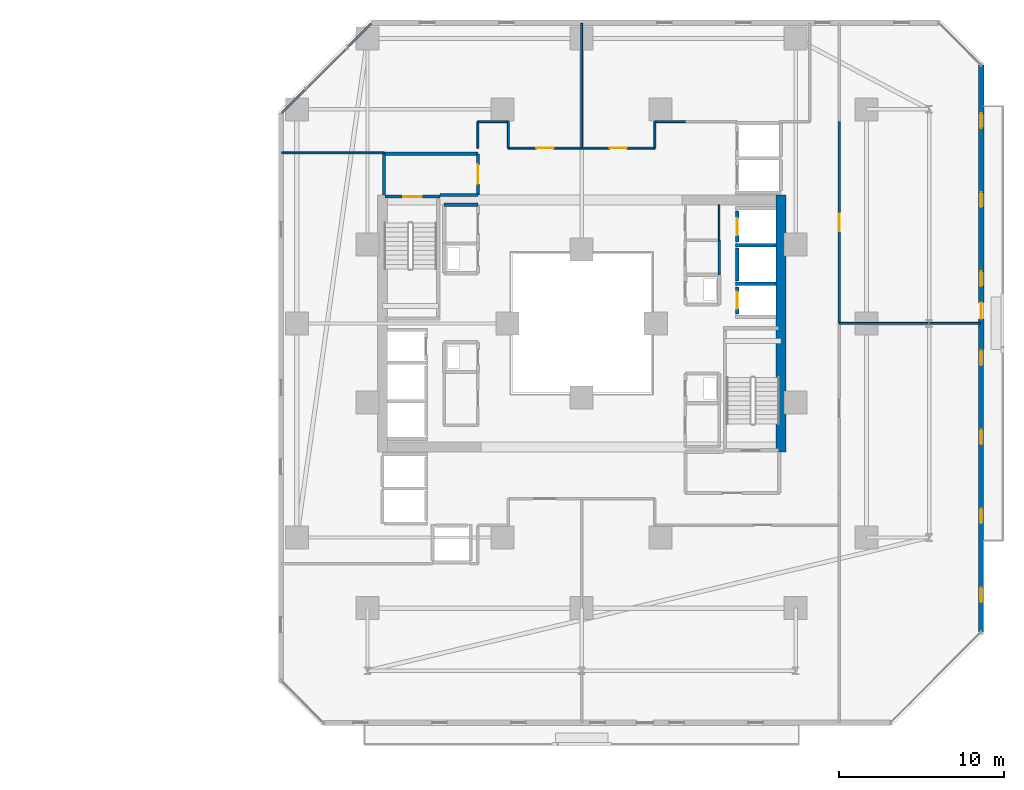
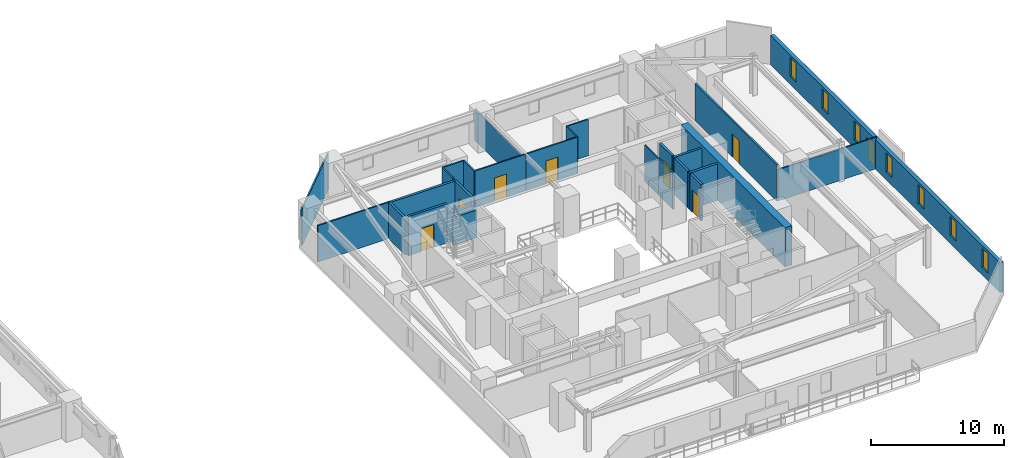
# One storey, part 24 of 33: 27 walls, 8 doors, 7 windows, 15 openings.
"""IFC4 building model written with IfcOpenShell, lengths in metres."""

from ifc_helpers import new_model, si_unit, direction, frame, frame_2d, origin, place, context, subcontext, project, spatial, rectangle, extrude, material, layer, layer_set, type_object, element, fill, save


model = new_model("IFC4")

# Units and contexts
model_context = context("Model", 3, precision=1e-05, world=origin(), true_north=direction((0.0, 1.0)))
body_context = subcontext(model_context, "Body", "Model", "MODEL_VIEW")
ifc_project = project(units=[si_unit("LENGTHUNIT", "METRE"), si_unit("AREAUNIT", "SQUARE_METRE"), si_unit("VOLUMEUNIT", "CUBIC_METRE"), si_unit("PLANEANGLEUNIT", "RADIAN"), si_unit("MASSUNIT", "GRAM", prefix="KILO")], contexts=[model_context])

# Site, building, storey
site_placement = place(None, origin())
site = spatial("IfcSite", under=ifc_project, at=site_placement, CompositionType="ELEMENT")
building_placement = place(site_placement, origin())
building = spatial("IfcBuilding", under=site, at=building_placement, Name="Thornwick Lancets Civic Towers", CompositionType="ELEMENT")
storey_placement = place(building_placement, frame((0.0, 0.0, 35.10009765625)))
storey = spatial("IfcBuildingStorey", under=building, at=storey_placement, Name="L08", CompositionType="ELEMENT", Elevation=35.10009765625)

# Wall, opening, door
ifc_material_1 = material(Name="Concrete blockwork C40/50", Category="masonry")
ifc_layer_1 = layer(ifc_material_1, 0.199951171875, Name="Concrete blockwork C40/50")
ifc_layer_set_1 = layer_set([ifc_layer_1], Name="Concrete blockwork C40/50")
wall_type_1 = type_object("IfcWallType", Name="WALL_COMP_200", PredefinedType="STANDARD", material=ifc_layer_set_1)
wall_1_placement = place(storey_placement, frame((97.949951171875, 29.219970703125, 0.0), z_axis=(0.0, 0.0, 1.0), x_axis=(0.0, -1.0, 0.0)))
wall_1 = element("IfcWall", 1, at=wall_1_placement, inside=storey, type_object=wall_type_1, Name="L08 Hoistway Front Wall FL-B1", PredefinedType="STANDARD", context=body_context, shape_type="SweptSolid", body=[
    extrude(rectangle(XDim=1.639892578125, YDim=0.199951171875, at=frame_2d((0.81982421875, 0.0))), origin(), (0.0, 0.0, 1.0), 3.33984375),
])
opening_1_placement = place(wall_1_placement, frame((0.31005859375, 0.0, 0.0)))
opening_1 = element("IfcOpeningElement", 2, at=opening_1_placement, cuts=wall_1, Name="Opening LD-FL-B1", PredefinedType="OPENING", context=body_context, shape_type="SweptSolid", body=[
    extrude(rectangle(XDim=1.02001953125, YDim=2.06005859375, at=frame_2d((0.510009765625, 1.030029296875))), frame((0.0, 0.10986328125, 0.0), z_axis=(0.0, -1.0, 0.0), x_axis=(1.0, 0.0, 0.0)), (0.0, 0.0, 1.0), 0.219970703125),
])
ifc_material_2 = material(Name="Brushed bronze stainless steel", Category="steel")
door_type_1 = type_object("IfcDoorType", Name="DOOR_LIFT_SLIDE", OperationType="SLIDING_TO_LEFT", PredefinedType="DOOR", material=ifc_material_2)
door_1_placement = place(opening_1_placement, origin())
door_1 = element("IfcDoor", 3, at=door_1_placement, inside=storey, type_object=door_type_1, Name="L08 Sliding Lift Landing Door LD-FL-B1", OperationType="SLIDING_TO_LEFT", OverallHeight=2.06005859375, OverallWidth=1.02001953125, PredefinedType="DOOR", context=body_context, shape_type="SweptSolid", body=[
    extrude(rectangle(XDim=1.02001953125, YDim=2.06005859375, at=frame_2d((0.510009765625, 1.030029296875))), frame((0.0, 0.02490234375, 0.0), z_axis=(0.0, -1.0, 0.0), x_axis=(1.0, 0.0, 0.0)), (0.0, 0.0, 1.0), 0.050048828125),
])
fill(opening_1, door_1)

# Wall
wall_2_placement = place(storey_placement, frame((97.949951171875, 31.570068359375, 0.0), z_axis=(0.0, 0.0, 1.0), x_axis=(0.0, -1.0, 0.0)))
element("IfcWall", 4, at=wall_2_placement, inside=storey, type_object=wall_type_1, Name="L08 Hoistway Front Wall PL-BH1", PredefinedType="STANDARD", context=body_context, shape_type="SweptSolid", body=[
    extrude(rectangle(XDim=1.989990234375, YDim=0.199951171875, at=frame_2d((0.9951171875, 0.0))), origin(), (0.0, 0.0, 1.0), 3.33984375),
])

# Wall, opening, door
wall_3_placement = place(storey_placement, frame((97.949951171875, 33.820068359375, 0.0), z_axis=(0.0, 0.0, 1.0), x_axis=(0.0, -1.0, 0.0)))
wall_3 = element("IfcWall", 5, at=wall_3_placement, inside=storey, type_object=wall_type_1, Name="L08 Hoistway Front Wall PL-BL1", PredefinedType="STANDARD", context=body_context, shape_type="SweptSolid", body=[
    extrude(rectangle(XDim=1.89013671875, YDim=0.199951171875, at=frame_2d((0.945068359375, 0.0))), origin(), (0.0, 0.0, 1.0), 3.33984375),
])
opening_2_placement = place(wall_3_placement, frame((0.43505859375, 0.0, 0.0)))
opening_2 = element("IfcOpeningElement", 6, at=opening_2_placement, cuts=wall_3, Name="Opening LD-PL-BL1", PredefinedType="OPENING", context=body_context, shape_type="SweptSolid", body=[
    extrude(rectangle(XDim=1.02001953125, YDim=2.06005859375, at=frame_2d((0.510009765625, 1.030029296875))), frame((0.0, 0.10986328125, 0.0), z_axis=(0.0, -1.0, 0.0), x_axis=(1.0, 0.0, 0.0)), (0.0, 0.0, 1.0), 0.219970703125),
])
door_2_placement = place(opening_2_placement, origin())
door_2 = element("IfcDoor", 7, at=door_2_placement, inside=storey, type_object=door_type_1, Name="L08 Sliding Lift Landing Door LD-PL-BL1", OperationType="SLIDING_TO_LEFT", OverallHeight=2.06005859375, OverallWidth=1.02001953125, PredefinedType="DOOR", context=body_context, shape_type="SweptSolid", body=[
    extrude(rectangle(XDim=1.02001953125, YDim=2.06005859375, at=frame_2d((0.510009765625, 1.030029296875))), frame((0.0, 0.02490234375, 0.0), z_axis=(0.0, -1.0, 0.0), x_axis=(1.0, 0.0, 0.0)), (0.0, 0.0, 1.0), 0.050048828125),
])
fill(opening_2, door_2)

# Walls
for number, where, z_axis, x_axis, name in (
    (8, (97.85205078125, 29.39990234375, 0.0), (0.0, 0.0, 1.0), (1.0, 0.0, 0.0), "L08 Hoistway Shaft Wall FL-B1 N"),
    (9, (97.85205078125, 31.75, 0.0), (0.0, 0.0, 1.0), (1.0, 0.0, 0.0), "L08 Hoistway Shaft Wall PL-BH1 N"),
):
    element("IfcWall", number, at=place(storey_placement, frame(where, z_axis=z_axis, x_axis=x_axis)), inside=storey, type_object=wall_type_1, Name=name, PredefinedType="STANDARD", context=body_context, shape_type="SweptSolid", body=[
        extrude(rectangle(XDim=2.43603515625, YDim=0.199951171875, at=frame_2d((1.218017578125, 0.0))), origin(), (0.0, 0.0, 1.0), 3.33984375),
    ])
wall_4_placement = place(storey_placement, frame((79.89990234375, 34.800048828125, 0.0), z_axis=(0.0, 0.0, 1.0), x_axis=(1.0, 0.0, 0.0)))
element("IfcWall", 10, at=wall_4_placement, inside=storey, type_object=wall_type_1, Name="L08 Partition L08-B-FFLOB2 E1", PredefinedType="STANDARD", context=body_context, shape_type="SweptSolid", body=[
    extrude(rectangle(XDim=2.300048828125, YDim=0.199951171875, at=frame_2d((1.14990234375, 0.0))), origin(), (0.0, 0.0, 1.0), 2.544921875),
])

# Wall, opening, door
wall_5_placement = place(storey_placement, frame((82.199951171875, 34.800048828125, 0.0), z_axis=(0.0, 0.0, 1.0), x_axis=(0.0, 1.0, 0.0)))
wall_5 = element("IfcWall", 11, at=wall_5_placement, inside=storey, type_object=wall_type_1, Name="L08 Partition L08-B-FFLOB2 E2", PredefinedType="STANDARD", context=body_context, shape_type="SweptSolid", body=[
    extrude(rectangle(XDim=2.5, YDim=0.199951171875, at=frame_2d((1.25, 0.0))), origin(), (0.0, 0.0, 1.0), 3.33984375),
])
opening_3_placement = place(wall_5_placement, frame((0.675048828125, 0.0, 0.0)))
opening_3 = element("IfcOpeningElement", 12, at=opening_3_placement, cuts=wall_5, Name="Opening D-L08-0413", PredefinedType="OPENING", context=body_context, shape_type="SweptSolid", body=[
    extrude(rectangle(XDim=1.14990234375, YDim=2.10009765625, at=frame_2d((0.574951171875, 1.050048828125))), frame((0.0, 0.10986328125, 0.0), z_axis=(0.0, -1.0, 0.0), x_axis=(1.0, 0.0, 0.0)), (0.0, 0.0, 1.0), 0.219970703125),
])
ifc_material_3 = material(Name="Glazed fire-resisting steel", Category="steel")
door_type_2 = type_object("IfcDoorType", Name="DOOR_LOBBY_FD60", OperationType="NOTDEFINED", PredefinedType="DOOR", material=ifc_material_3)
door_3_placement = place(opening_3_placement, origin())
door_3 = element("IfcDoor", 13, at=door_3_placement, inside=storey, type_object=door_type_2, Name="L08 West Firefighting Lobby 2 Door", OperationType="SINGLE_SWING_RIGHT", OverallHeight=2.10009765625, OverallWidth=1.14990234375, PredefinedType="DOOR", context=body_context, shape_type="SweptSolid", body=[
    extrude(rectangle(XDim=1.14990234375, YDim=2.10009765625, at=frame_2d((0.574951171875, 1.050048828125))), frame((0.0, 0.02490234375, 0.0), z_axis=(0.0, -1.0, 0.0), x_axis=(1.0, 0.0, 0.0)), (0.0, 0.0, 1.0), 0.050048828125),
])
fill(opening_3, door_3)

# Walls
wall_6_placement = place(storey_placement, frame((82.199951171875, 37.300048828125, 0.0), z_axis=(0.0, 0.0, 1.0), x_axis=(-1.0, 0.0, 0.0)))
element("IfcWall", 14, at=wall_6_placement, inside=storey, type_object=wall_type_1, Name="L08 Partition L08-B-FFLOB2 E3", PredefinedType="STANDARD", context=body_context, shape_type="SweptSolid", body=[
    extrude(rectangle(XDim=5.699951171875, YDim=0.199951171875, at=frame_2d((2.85009765625, 0.0))), origin(), (0.0, 0.0, 1.0), 3.33984375),
])
wall_7_placement = place(storey_placement, frame((76.5, 37.300048828125, 0.0), z_axis=(0.0, 0.0, 1.0), x_axis=(0.0, -1.0, 0.0)))
element("IfcWall", 15, at=wall_7_placement, inside=storey, type_object=wall_type_1, Name="L08 Partition L08-B-FFLOB2 E4", PredefinedType="STANDARD", context=body_context, shape_type="SweptSolid", body=[
    extrude(rectangle(XDim=2.5, YDim=0.199951171875, at=frame_2d((1.25, 0.0))), origin(), (0.0, 0.0, 1.0), 3.33984375),
])
wall_8_placement = place(storey_placement, frame((80.14990234375, 34.199951171875, 0.0), z_axis=(0.0, 0.0, 1.0), x_axis=(1.0, 0.0, 0.0)))
element("IfcWall", 16, at=wall_8_placement, inside=storey, type_object=wall_type_1, Name="L08 Partition L08-B-STR E2", PredefinedType="STANDARD", context=body_context, shape_type="SweptSolid", body=[
    extrude(rectangle(XDim=2.050048828125, YDim=0.199951171875, at=frame_2d((1.02490234375, 0.0))), origin(), (0.0, 0.0, 1.0), 2.544921875),
])
ifc_material_4 = material(Name="Concrete C60/75", Category="concrete")
ifc_layer_2 = layer(ifc_material_4, 0.60009765625, Name="Concrete C60/75")
ifc_layer_set_2 = layer_set([ifc_layer_2], Name="Concrete C60/75")
wall_type_2 = type_object("IfcWallType", Name="WALL_CORE_600", PredefinedType="SHEAR", material=ifc_layer_set_2)
wall_9_placement = place(storey_placement, frame((100.60009765625, 19.199951171875, 0.0), z_axis=(0.0, 0.0, 1.0), x_axis=(0.0, 1.0, 0.0)))
element("IfcWall", 17, at=wall_9_placement, inside=storey, type_object=wall_type_2, Name="L08 Split Core B1 Shear Wall E", PredefinedType="SHEAR", context=body_context, shape_type="SweptSolid", body=[
    extrude(rectangle(XDim=15.60009765625, YDim=0.60009765625, at=frame_2d((7.800048828125, 0.0))), origin(), (0.0, 0.0, 1.0), 3.599853515625),
])

# Wall, openings, door, windows
ifc_material_5 = material(Name="Insulated buff terracotta rainscreen on concrete C40/50", Category="masonry")
ifc_layer_3 = layer(ifc_material_5, 0.320068359375, Name="Insulated buff terracotta rainscreen on concrete C40/50")
ifc_layer_set_3 = layer_set([ifc_layer_3], Name="Insulated buff terracotta rainscreen on concrete C40/50")
wall_type_3 = type_object("IfcWallType", Name="WALL_EXT_TERRA_320", PredefinedType="STANDARD", material=ifc_layer_set_3)
wall_10_placement = place(storey_placement, frame((112.75537109375, 8.252197265625, 0.0), z_axis=(0.0, 0.0, 1.0), x_axis=(0.000276554545, 0.999999961759, 0.0)))
wall_10 = element("IfcWall", 18, at=wall_10_placement, inside=storey, type_object=wall_type_3, Name="L08 Tower B Terracotta Facade Wall E2", PredefinedType="STANDARD", context=body_context, shape_type="SweptSolid", body=[
    extrude(rectangle(XDim=34.428955078125, YDim=0.320068359375, at=frame_2d((17.21435546875, 0.0))), origin(), (0.0, 0.0, 1.0), 2.699951171875),
])
opening_4_placement = place(wall_10_placement, frame((19.014404296875, 0.0, 0.0)))
opening_4 = element("IfcOpeningElement", 19, at=opening_4_placement, cuts=wall_10, Name="Opening D-BL-L08-BE", PredefinedType="OPENING", context=body_context, shape_type="SweptSolid", body=[
    extrude(rectangle(XDim=1.0, YDim=2.080078125, at=frame_2d((0.5, 1.0400390625))), frame((0.0, 0.169921875, 0.0), z_axis=(0.0, -1.0, 0.0), x_axis=(1.0, 0.0, 0.0)), (0.0, 0.0, 1.0), 0.340087890625),
])
opening_5_placement = place(wall_10_placement, frame((1.800048828125, 0.0, 0.719970703125)))
opening_5 = element("IfcOpeningElement", 20, at=opening_5_placement, cuts=wall_10, Name="Opening WL-01", PredefinedType="OPENING", context=body_context, shape_type="SweptSolid", body=[
    extrude(rectangle(XDim=0.89990234375, YDim=1.75, at=frame_2d((0.449951171875, 0.875))), frame((0.0, 0.169921875, 0.0), z_axis=(0.0, -1.0, 0.0), x_axis=(1.0, 0.0, 0.0)), (0.0, 0.0, 1.0), 0.340087890625),
])
opening_6_placement = place(wall_10_placement, frame((6.60009765625, 0.0, 0.719970703125)))
opening_6 = element("IfcOpeningElement", 21, at=opening_6_placement, cuts=wall_10, Name="Opening WL-01", PredefinedType="OPENING", context=body_context, shape_type="SweptSolid", body=[
    extrude(rectangle(XDim=0.89990234375, YDim=1.75, at=frame_2d((0.449951171875, 0.875))), frame((0.0, 0.169921875, 0.0), z_axis=(0.0, -1.0, 0.0), x_axis=(1.0, 0.0, 0.0)), (0.0, 0.0, 1.0), 0.340087890625),
])
opening_7_placement = place(wall_10_placement, frame((11.39990234375, 0.0, 0.719970703125)))
opening_7 = element("IfcOpeningElement", 22, at=opening_7_placement, cuts=wall_10, Name="Opening WL-01", PredefinedType="OPENING", context=body_context, shape_type="SweptSolid", body=[
    extrude(rectangle(XDim=0.89990234375, YDim=1.75, at=frame_2d((0.449951171875, 0.875))), frame((0.0, 0.169921875, 0.0), z_axis=(0.0, -1.0, 0.0), x_axis=(1.0, 0.0, 0.0)), (0.0, 0.0, 1.0), 0.340087890625),
])
opening_8_placement = place(wall_10_placement, frame((16.199951171875, 0.0, 0.719970703125)))
opening_8 = element("IfcOpeningElement", 23, at=opening_8_placement, cuts=wall_10, Name="Opening WL-01", PredefinedType="OPENING", context=body_context, shape_type="SweptSolid", body=[
    extrude(rectangle(XDim=0.89990234375, YDim=1.75, at=frame_2d((0.449951171875, 0.875))), frame((0.0, 0.169921875, 0.0), z_axis=(0.0, -1.0, 0.0), x_axis=(1.0, 0.0, 0.0)), (0.0, 0.0, 1.0), 0.340087890625),
])
opening_9_placement = place(wall_10_placement, frame((21.0, 0.0, 0.719970703125)))
opening_9 = element("IfcOpeningElement", 24, at=opening_9_placement, cuts=wall_10, Name="Opening WL-01", PredefinedType="OPENING", context=body_context, shape_type="SweptSolid", body=[
    extrude(rectangle(XDim=0.89990234375, YDim=1.75, at=frame_2d((0.449951171875, 0.875))), frame((0.0, 0.169921875, 0.0), z_axis=(0.0, -1.0, 0.0), x_axis=(1.0, 0.0, 0.0)), (0.0, 0.0, 1.0), 0.340087890625),
])
opening_10_placement = place(wall_10_placement, frame((25.800048828125, 0.0, 0.719970703125)))
opening_10 = element("IfcOpeningElement", 25, at=opening_10_placement, cuts=wall_10, Name="Opening WL-01", PredefinedType="OPENING", context=body_context, shape_type="SweptSolid", body=[
    extrude(rectangle(XDim=0.89990234375, YDim=1.75, at=frame_2d((0.449951171875, 0.875))), frame((0.0, 0.169921875, 0.0), z_axis=(0.0, -1.0, 0.0), x_axis=(1.0, 0.0, 0.0)), (0.0, 0.0, 1.0), 0.340087890625),
])
opening_11_placement = place(wall_10_placement, frame((30.60009765625, 0.0, 0.719970703125)))
opening_11 = element("IfcOpeningElement", 26, at=opening_11_placement, cuts=wall_10, Name="Opening WL-01", PredefinedType="OPENING", context=body_context, shape_type="SweptSolid", body=[
    extrude(rectangle(XDim=0.89990234375, YDim=1.75, at=frame_2d((0.449951171875, 0.875))), frame((0.0, 0.169921875, 0.0), z_axis=(0.0, -1.0, 0.0), x_axis=(1.0, 0.0, 0.0)), (0.0, 0.0, 1.0), 0.340087890625),
])
ifc_material_6 = material(Name="Thermally broken glazed loggia doorset")
door_type_3 = type_object("IfcDoorType", Name="DOOR_BALC_1000", OperationType="NOTDEFINED", PredefinedType="DOOR", material=ifc_material_6)
door_4_placement = place(opening_4_placement, origin())
door_4 = element("IfcDoor", 27, at=door_4_placement, inside=storey, type_object=door_type_3, Name="L08 Tower B Loggia Balcony Door E", OperationType="SINGLE_SWING_LEFT", OverallHeight=2.080078125, OverallWidth=1.0, PredefinedType="DOOR", context=body_context, shape_type="SweptSolid", body=[
    extrude(rectangle(XDim=1.0, YDim=2.080078125, at=frame_2d((0.5, 1.0400390625))), frame((0.0, 0.02490234375, 0.0), z_axis=(0.0, -1.0, 0.0), x_axis=(1.0, 0.0, 0.0)), (0.0, 0.0, 1.0), 0.050048828125),
])
fill(opening_4, door_4)
ifc_material_7 = material(Name="Clear low-e double glazing in bronze frame", Category="glass")
window_type = type_object("IfcWindowType", Name="WIN_LANCET_900", PartitioningType="SINGLE_PANEL", PredefinedType="WINDOW", material=ifc_material_7)
window_1_placement = place(opening_5_placement, origin())
window_1 = element("IfcWindow", 28, at=window_1_placement, inside=storey, type_object=window_type, Name="L08 Tower B Staggered Lancet Window E2-1", OverallHeight=1.75, OverallWidth=0.89990234375, PartitioningType="SINGLE_PANEL", PredefinedType="WINDOW", context=body_context, shape_type="SweptSolid", body=[
    extrude(rectangle(XDim=0.89990234375, YDim=1.75, at=frame_2d((0.449951171875, 0.875))), frame((0.0, 0.030029296875, 0.0), z_axis=(0.0, -1.0, 0.0), x_axis=(1.0, 0.0, 0.0)), (0.0, 0.0, 1.0), 0.06005859375),
])
fill(opening_5, window_1)
window_2_placement = place(opening_6_placement, origin())
window_2 = element("IfcWindow", 29, at=window_2_placement, inside=storey, type_object=window_type, Name="L08 Tower B Staggered Lancet Window E2-2", OverallHeight=1.75, OverallWidth=0.89990234375, PartitioningType="SINGLE_PANEL", PredefinedType="WINDOW", context=body_context, shape_type="SweptSolid", body=[
    extrude(rectangle(XDim=0.89990234375, YDim=1.75, at=frame_2d((0.449951171875, 0.875))), frame((0.0, 0.030029296875, 0.0), z_axis=(0.0, -1.0, 0.0), x_axis=(1.0, 0.0, 0.0)), (0.0, 0.0, 1.0), 0.06005859375),
])
fill(opening_6, window_2)
window_3_placement = place(opening_7_placement, origin())
window_3 = element("IfcWindow", 30, at=window_3_placement, inside=storey, type_object=window_type, Name="L08 Tower B Staggered Lancet Window E2-3", OverallHeight=1.75, OverallWidth=0.89990234375, PartitioningType="SINGLE_PANEL", PredefinedType="WINDOW", context=body_context, shape_type="SweptSolid", body=[
    extrude(rectangle(XDim=0.89990234375, YDim=1.75, at=frame_2d((0.449951171875, 0.875))), frame((0.0, 0.030029296875, 0.0), z_axis=(0.0, -1.0, 0.0), x_axis=(1.0, 0.0, 0.0)), (0.0, 0.0, 1.0), 0.06005859375),
])
fill(opening_7, window_3)
window_4_placement = place(opening_8_placement, origin())
window_4 = element("IfcWindow", 31, at=window_4_placement, inside=storey, type_object=window_type, Name="L08 Tower B Staggered Lancet Window E2-4", OverallHeight=1.75, OverallWidth=0.89990234375, PartitioningType="SINGLE_PANEL", PredefinedType="WINDOW", context=body_context, shape_type="SweptSolid", body=[
    extrude(rectangle(XDim=0.89990234375, YDim=1.75, at=frame_2d((0.449951171875, 0.875))), frame((0.0, 0.030029296875, 0.0), z_axis=(0.0, -1.0, 0.0), x_axis=(1.0, 0.0, 0.0)), (0.0, 0.0, 1.0), 0.06005859375),
])
fill(opening_8, window_4)
window_5_placement = place(opening_9_placement, origin())
window_5 = element("IfcWindow", 32, at=window_5_placement, inside=storey, type_object=window_type, Name="L08 Tower B Staggered Lancet Window E2-5", OverallHeight=1.75, OverallWidth=0.89990234375, PartitioningType="SINGLE_PANEL", PredefinedType="WINDOW", context=body_context, shape_type="SweptSolid", body=[
    extrude(rectangle(XDim=0.89990234375, YDim=1.75, at=frame_2d((0.449951171875, 0.875))), frame((0.0, 0.030029296875, 0.0), z_axis=(0.0, -1.0, 0.0), x_axis=(1.0, 0.0, 0.0)), (0.0, 0.0, 1.0), 0.06005859375),
])
fill(opening_9, window_5)
window_6_placement = place(opening_10_placement, origin())
window_6 = element("IfcWindow", 33, at=window_6_placement, inside=storey, type_object=window_type, Name="L08 Tower B Staggered Lancet Window E2-6", OverallHeight=1.75, OverallWidth=0.89990234375, PartitioningType="SINGLE_PANEL", PredefinedType="WINDOW", context=body_context, shape_type="SweptSolid", body=[
    extrude(rectangle(XDim=0.89990234375, YDim=1.75, at=frame_2d((0.449951171875, 0.875))), frame((0.0, 0.030029296875, 0.0), z_axis=(0.0, -1.0, 0.0), x_axis=(1.0, 0.0, 0.0)), (0.0, 0.0, 1.0), 0.06005859375),
])
fill(opening_10, window_6)
window_7_placement = place(opening_11_placement, origin())
window_7 = element("IfcWindow", 34, at=window_7_placement, inside=storey, type_object=window_type, Name="L08 Tower B Staggered Lancet Window E2-7", OverallHeight=1.75, OverallWidth=0.89990234375, PartitioningType="SINGLE_PANEL", PredefinedType="WINDOW", context=body_context, shape_type="SweptSolid", body=[
    extrude(rectangle(XDim=0.89990234375, YDim=1.75, at=frame_2d((0.449951171875, 0.875))), frame((0.0, 0.030029296875, 0.0), z_axis=(0.0, -1.0, 0.0), x_axis=(1.0, 0.0, 0.0)), (0.0, 0.0, 1.0), 0.06005859375),
])
fill(opening_11, window_7)

# Walls
ifc_material_8 = material(Name="Lightweight cellular office partition")
ifc_layer_4 = layer(ifc_material_8, 0.10009765625, Name="Lightweight cellular office partition")
ifc_layer_set_4 = layer_set([ifc_layer_4], Name="Lightweight cellular office partition")
wall_type_4 = type_object("IfcWallType", Name="WALL_PART_100", PredefinedType="PARTITIONING", material=ifc_layer_set_4)
wall_11_placement = place(storey_placement, frame((96.85009765625, 34.199951171875, 0.0), z_axis=(0.0, 0.0, 1.0), x_axis=(0.0, -1.0, 0.0)))
element("IfcWall", 35, at=wall_11_placement, inside=storey, type_object=wall_type_4, Name="L08 Partition L08-B-CLN E3", PredefinedType="PARTITIONING", context=body_context, shape_type="SweptSolid", body=[
    extrude(rectangle(XDim=2.14990234375, YDim=0.10009765625, at=frame_2d((1.074951171875, 0.0))), origin(), (0.0, 0.0, 1.0), 3.33984375),
])
ifc_material_9 = material(Name="Acoustic gypsum board partition")
ifc_layer_5 = layer(ifc_material_9, 0.1201171875, Name="Acoustic gypsum board partition")
ifc_layer_set_5 = layer_set([ifc_layer_5], Name="Acoustic gypsum board partition")
wall_type_5 = type_object("IfcWallType", Name="WALL_PART_120", PredefinedType="PARTITIONING", material=ifc_layer_set_5)
wall_12_placement = place(storey_placement, frame((94.800048828125, 39.25, 0.0), z_axis=(0.0, 0.0, 1.0), x_axis=(-1.0, 0.0, 0.0)))
element("IfcWall", 36, at=wall_12_placement, inside=storey, type_object=wall_type_5, Name="L08 Partition L08-B-E1 E2", PredefinedType="PARTITIONING", context=body_context, shape_type="SweptSolid", body=[
    extrude(rectangle(XDim=1.85009765625, YDim=0.1201171875, at=frame_2d((0.925048828125, 0.0))), origin(), (0.0, 0.0, 1.0), 3.33984375),
])
wall_13_placement = place(storey_placement, frame((92.949951171875, 39.25, 0.0), z_axis=(0.0, 0.0, 1.0), x_axis=(0.0, -1.0, 0.0)))
element("IfcWall", 37, at=wall_13_placement, inside=storey, type_object=wall_type_5, Name="L08 Partition L08-B-E1 E3", PredefinedType="PARTITIONING", context=body_context, shape_type="SweptSolid", body=[
    extrude(rectangle(XDim=1.60009765625, YDim=0.1201171875, at=frame_2d((0.800048828125, 0.0))), origin(), (0.0, 0.0, 1.0), 3.33984375),
])

# Wall, opening, door
wall_14_placement = place(storey_placement, frame((92.949951171875, 37.64990234375, 0.0), z_axis=(0.0, 0.0, 1.0), x_axis=(-1.0, 0.0, 0.0)))
wall_14 = element("IfcWall", 38, at=wall_14_placement, inside=storey, type_object=wall_type_5, Name="L08 Partition L08-B-E1 E4", PredefinedType="PARTITIONING", context=body_context, shape_type="SweptSolid", body=[
    extrude(rectangle(XDim=4.449951171875, YDim=0.1201171875, at=frame_2d((2.22509765625, 0.0))), origin(), (0.0, 0.0, 1.0), 3.33984375),
])
opening_12_placement = place(wall_14_placement, frame((1.699951171875, 0.0, 0.0)))
opening_12 = element("IfcOpeningElement", 39, at=opening_12_placement, cuts=wall_14, Name="Opening D-L08-0431", PredefinedType="OPENING", context=body_context, shape_type="SweptSolid", body=[
    extrude(rectangle(XDim=1.050048828125, YDim=2.10009765625, at=frame_2d((0.52490234375, 1.050048828125))), frame((0.0, 0.070068359375, 0.0), z_axis=(0.0, -1.0, 0.0), x_axis=(1.0, 0.0, 0.0)), (0.0, 0.0, 1.0), 0.14013671875),
])
ifc_material_10 = material(Name="Glazed European oak executive doorset")
door_type_4 = type_object("IfcDoorType", Name="DOOR_OFFICE_1050", OperationType="NOTDEFINED", PredefinedType="DOOR", material=ifc_material_10)
door_5_placement = place(opening_12_placement, origin())
door_5 = element("IfcDoor", 40, at=door_5_placement, inside=storey, type_object=door_type_4, Name="L08 Tower B Secretariat Open Office E1 Door", OperationType="SINGLE_SWING_RIGHT", OverallHeight=2.10009765625, OverallWidth=1.050048828125, PredefinedType="DOOR", context=body_context, shape_type="SweptSolid", body=[
    extrude(rectangle(XDim=1.050048828125, YDim=2.10009765625, at=frame_2d((0.52490234375, 1.050048828125))), frame((0.0, 0.02490234375, 0.0), z_axis=(0.0, -1.0, 0.0), x_axis=(1.0, 0.0, 0.0)), (0.0, 0.0, 1.0), 0.050048828125),
])
fill(opening_12, door_5)

# Walls
wall_15_placement = place(storey_placement, frame((88.5, 37.64990234375, 0.0), z_axis=(0.0, 0.0, 1.0), x_axis=(0.0, 1.0, 0.0)))
element("IfcWall", 41, at=wall_15_placement, inside=storey, type_object=wall_type_5, Name="L08 Partition L08-B-E1 E5", PredefinedType="PARTITIONING", context=body_context, shape_type="SweptSolid", body=[
    extrude(rectangle(XDim=7.570068359375, YDim=0.1201171875, at=frame_2d((3.78515625, 0.0))), origin(), (0.0, 0.0, 1.0), 2.877685546875),
])
wall_16_placement = place(storey_placement, frame((84.050048828125, 37.64990234375, 0.0), z_axis=(0.0, 0.0, 1.0), x_axis=(0.0, 1.0, 0.0)))
element("IfcWall", 42, at=wall_16_placement, inside=storey, type_object=wall_type_5, Name="L08 Partition L08-B-E2 E1", PredefinedType="PARTITIONING", context=body_context, shape_type="SweptSolid", body=[
    extrude(rectangle(XDim=1.60009765625, YDim=0.1201171875, at=frame_2d((0.800048828125, 0.0))), origin(), (0.0, 0.0, 1.0), 3.33984375),
])
wall_17_placement = place(storey_placement, frame((84.050048828125, 39.25, 0.0), z_axis=(0.0, 0.0, 1.0), x_axis=(-1.0, 0.0, 0.0)))
element("IfcWall", 43, at=wall_17_placement, inside=storey, type_object=wall_type_5, Name="L08 Partition L08-B-E2 E2", PredefinedType="PARTITIONING", context=body_context, shape_type="SweptSolid", body=[
    extrude(rectangle(XDim=1.85009765625, YDim=0.1201171875, at=frame_2d((0.925048828125, 0.0))), origin(), (0.0, 0.0, 1.0), 3.33984375),
])
wall_18_placement = place(storey_placement, frame((82.199951171875, 39.25, 0.0), z_axis=(0.0, 0.0, 1.0), x_axis=(0.0, -1.0, 0.0)))
element("IfcWall", 44, at=wall_18_placement, inside=storey, type_object=wall_type_5, Name="L08 Partition L08-B-E2 E3", PredefinedType="PARTITIONING", context=body_context, shape_type="SweptSolid", body=[
    extrude(rectangle(XDim=1.60009765625, YDim=0.1201171875, at=frame_2d((0.800048828125, 0.0))), origin(), (0.0, 0.0, 1.0), 3.33984375),
])
wall_19_placement = place(storey_placement, frame((76.5, 37.35009765625, 0.0), z_axis=(0.0, 0.0, 1.0), x_axis=(-1.0, 0.0, 0.0)))
element("IfcWall", 45, at=wall_19_placement, inside=storey, type_object=wall_type_5, Name="L08 Partition L08-B-E2 E5", PredefinedType="PARTITIONING", context=body_context, shape_type="SweptSolid", body=[
    extrude(rectangle(XDim=6.219970703125, YDim=0.1201171875, at=frame_2d((3.10986328125, 0.0))), origin(), (0.0, 0.0, 1.0), 3.33984375),
])
wall_20_placement = place(storey_placement, frame((70.280029296875, 39.780517578125, 0.0), z_axis=(0.0, 0.0, 1.0), x_axis=(0.707106781187, 0.707106781187, 0.0)))
element("IfcWall", 46, at=wall_20_placement, inside=storey, type_object=wall_type_5, Name="L08 Partition L08-B-E2 E7", PredefinedType="PARTITIONING", context=body_context, shape_type="SweptSolid", body=[
    extrude(rectangle(XDim=7.692626953125, YDim=0.1201171875, at=frame_2d((3.84619140625, 0.0))), origin(), (0.0, 0.0, 1.0), 3.33984375),
])

# Wall, opening, door
wall_21_placement = place(storey_placement, frame((88.5, 37.64990234375, 0.0), z_axis=(0.0, 0.0, 1.0), x_axis=(-1.0, 0.0, 0.0)))
wall_21 = element("IfcWall", 47, at=wall_21_placement, inside=storey, type_object=wall_type_5, Name="L08 Partition L08-B-E2 E10", PredefinedType="PARTITIONING", context=body_context, shape_type="SweptSolid", body=[
    extrude(rectangle(XDim=4.449951171875, YDim=0.1201171875, at=frame_2d((2.22509765625, 0.0))), origin(), (0.0, 0.0, 1.0), 3.33984375),
])
opening_13_placement = place(wall_21_placement, frame((1.699951171875, 0.0, 0.0)))
opening_13 = element("IfcOpeningElement", 48, at=opening_13_placement, cuts=wall_21, Name="Opening D-L08-0432", PredefinedType="OPENING", context=body_context, shape_type="SweptSolid", body=[
    extrude(rectangle(XDim=1.050048828125, YDim=2.10009765625, at=frame_2d((0.52490234375, 1.050048828125))), frame((0.0, 0.070068359375, 0.0), z_axis=(0.0, -1.0, 0.0), x_axis=(1.0, 0.0, 0.0)), (0.0, 0.0, 1.0), 0.14013671875),
])
door_6_placement = place(opening_13_placement, origin())
door_6 = element("IfcDoor", 49, at=door_6_placement, inside=storey, type_object=door_type_4, Name="L08 Tower B Visitors Reception and Waiting Door", OperationType="SINGLE_SWING_LEFT", OverallHeight=2.10009765625, OverallWidth=1.050048828125, PredefinedType="DOOR", context=body_context, shape_type="SweptSolid", body=[
    extrude(rectangle(XDim=1.050048828125, YDim=2.10009765625, at=frame_2d((0.52490234375, 1.050048828125))), frame((0.0, 0.02490234375, 0.0), z_axis=(0.0, -1.0, 0.0), x_axis=(1.0, 0.0, 0.0)), (0.0, 0.0, 1.0), 0.050048828125),
])
fill(opening_13, door_6)

# Walls
wall_22_placement = place(storey_placement, frame((104.14990234375, 27.0, 0.0), z_axis=(0.0, 0.0, 1.0), x_axis=(1.0, 0.0, 0.0)))
element("IfcWall", 50, at=wall_22_placement, inside=storey, type_object=wall_type_5, Name="L08 Partition L08-B-S-OFF E5", PredefinedType="PARTITIONING", context=body_context, shape_type="SweptSolid", body=[
    extrude(rectangle(XDim=8.570068359375, YDim=0.1201171875, at=frame_2d((4.28515625, 0.0))), origin(), (0.0, 0.0, 1.0), 2.877685546875),
])
ifc_material_11 = material(Name="Twin-stud acoustic gypsum board")
ifc_layer_6 = layer(ifc_material_11, 0.14990234375, Name="Twin-stud acoustic gypsum board")
ifc_layer_set_6 = layer_set([ifc_layer_6], Name="Twin-stud acoustic gypsum board")
wall_type_6 = type_object("IfcWallType", Name="WALL_PART_150", PredefinedType="PARTITIONING", material=ifc_layer_set_6)
wall_23_placement = place(storey_placement, frame((96.85009765625, 32.050048828125, 0.0), z_axis=(0.0, 0.0, 1.0), x_axis=(0.0, -1.0, 0.0)))
element("IfcWall", 51, at=wall_23_placement, inside=storey, type_object=wall_type_6, Name="L08 Partition L08-B-MWC E3", PredefinedType="PARTITIONING", context=body_context, shape_type="SweptSolid", body=[
    extrude(rectangle(XDim=2.10009765625, YDim=0.14990234375, at=frame_2d((1.050048828125, 0.0))), origin(), (0.0, 0.0, 1.0), 3.33984375),
])

# Wall, opening, door
wall_24_placement = place(storey_placement, frame((104.14990234375, 27.0, 0.0), z_axis=(0.0, 0.0, 1.0), x_axis=(0.0, 1.0, 0.0)))
wall_24 = element("IfcWall", 52, at=wall_24_placement, inside=storey, type_object=wall_type_6, Name="L08 Partition L08-B-S-ARCH E1", PredefinedType="PARTITIONING", context=body_context, shape_type="SweptSolid", body=[
    extrude(rectangle(XDim=12.25, YDim=0.14990234375, at=frame_2d((6.125, 0.0))), origin(), (0.0, 0.0, 1.0), 3.33984375),
])
opening_14_placement = place(wall_24_placement, frame((5.60009765625, 0.0, 0.0)))
opening_14 = element("IfcOpeningElement", 53, at=opening_14_placement, cuts=wall_24, Name="Opening D-L08-0434", PredefinedType="OPENING", context=body_context, shape_type="SweptSolid", body=[
    extrude(rectangle(XDim=1.050048828125, YDim=2.10009765625, at=frame_2d((0.52490234375, 1.050048828125))), frame((0.0, 0.0849609375, 0.0), z_axis=(0.0, -1.0, 0.0), x_axis=(1.0, 0.0, 0.0)), (0.0, 0.0, 1.0), 0.169921875),
])
door_7_placement = place(opening_14_placement, origin())
door_7 = element("IfcDoor", 54, at=door_7_placement, inside=storey, type_object=door_type_4, Name="L08 Tower B Registry and Records Archive Door", OperationType="SINGLE_SWING_LEFT", OverallHeight=2.10009765625, OverallWidth=1.050048828125, PredefinedType="DOOR", context=body_context, shape_type="SweptSolid", body=[
    extrude(rectangle(XDim=1.050048828125, YDim=2.10009765625, at=frame_2d((0.52490234375, 1.050048828125))), frame((0.0, 0.02490234375, 0.0), z_axis=(0.0, -1.0, 0.0), x_axis=(1.0, 0.0, 0.0)), (0.0, 0.0, 1.0), 0.050048828125),
])
fill(opening_14, door_7)

ifc_material_12 = material(Name="Concrete C40/50", Category="concrete")
ifc_layer_7 = layer(ifc_material_12, 0.199951171875, Name="Concrete C40/50")
ifc_layer_set_7 = layer_set([ifc_layer_7], Name="Concrete C40/50")
wall_type_7 = type_object("IfcWallType", Name="WALL_SHAFT_200", PredefinedType="SHEAR", material=ifc_layer_set_7)
wall_25_placement = place(storey_placement, frame((76.550048828125, 34.699951171875, 0.0), z_axis=(0.0, 0.0, 1.0), x_axis=(1.0, 0.0, 0.0)))
wall_25 = element("IfcWall", 55, at=wall_25_placement, inside=storey, type_object=wall_type_7, Name="L08 ST-B2 Fire Stair Core Wall NEAR", PredefinedType="SHEAR", context=body_context, shape_type="SweptSolid", body=[
    extrude(rectangle(XDim=3.349853515625, YDim=0.199951171875, at=frame_2d((1.6748046875, 0.0))), origin(), (0.0, 0.0, 1.0), 3.599853515625),
])
opening_15_placement = place(wall_25_placement, frame((1.125, 0.0, 0.0)))
opening_15 = element("IfcOpeningElement", 56, at=opening_15_placement, cuts=wall_25, Name="Opening D-ST-B2-L08", PredefinedType="OPENING", context=body_context, shape_type="SweptSolid", body=[
    extrude(rectangle(XDim=1.10009765625, YDim=2.10009765625, at=frame_2d((0.550048828125, 1.050048828125))), frame((0.0, 0.10986328125, 0.0), z_axis=(0.0, -1.0, 0.0), x_axis=(1.0, 0.0, 0.0)), (0.0, 0.0, 1.0), 0.219970703125),
])
ifc_material_13 = material(Name="Fire-resisting steel and hardwood", Category="steel")
door_type_5 = type_object("IfcDoorType", Name="DOOR_STAIR_FD60", OperationType="NOTDEFINED", PredefinedType="DOOR", material=ifc_material_13)
door_8_placement = place(opening_15_placement, origin())
door_8 = element("IfcDoor", 57, at=door_8_placement, inside=storey, type_object=door_type_5, Name="L08 ST-B2 Exit Stair Door", OperationType="SINGLE_SWING_LEFT", OverallHeight=2.10009765625, OverallWidth=1.10009765625, PredefinedType="DOOR", context=body_context, shape_type="SweptSolid", body=[
    extrude(rectangle(XDim=1.10009765625, YDim=2.10009765625, at=frame_2d((0.550048828125, 1.050048828125))), frame((0.0, 0.02490234375, 0.0), z_axis=(0.0, -1.0, 0.0), x_axis=(1.0, 0.0, 0.0)), (0.0, 0.0, 1.0), 0.050048828125),
])
fill(opening_15, door_8)

save(model, "model.ifc")
